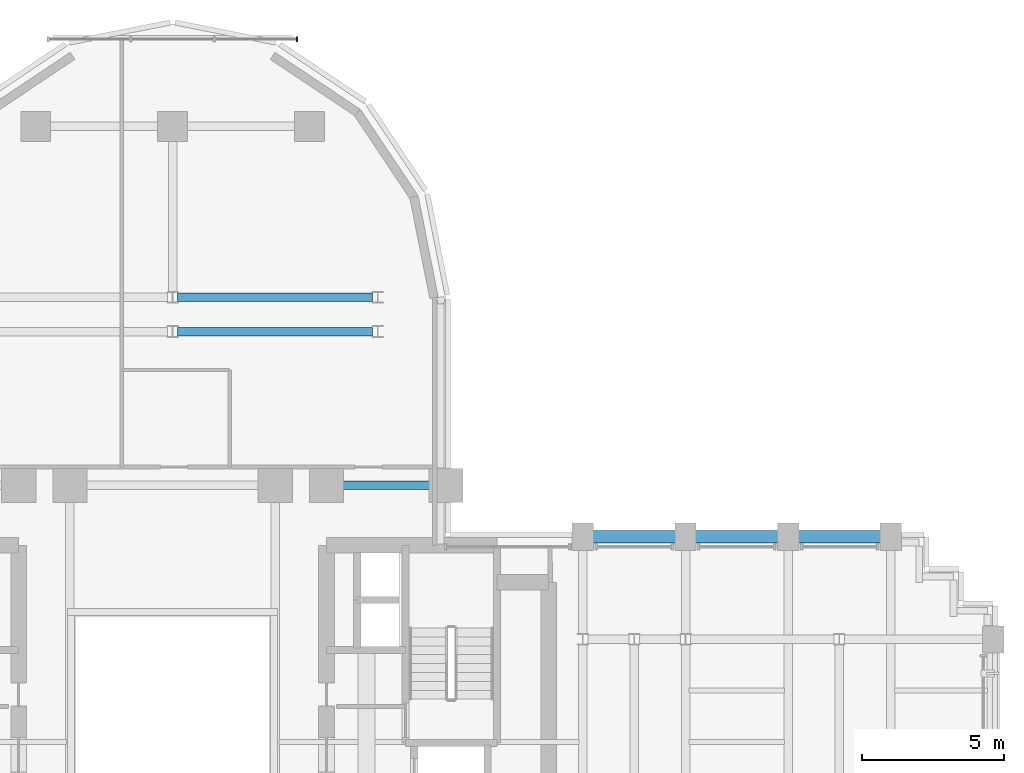
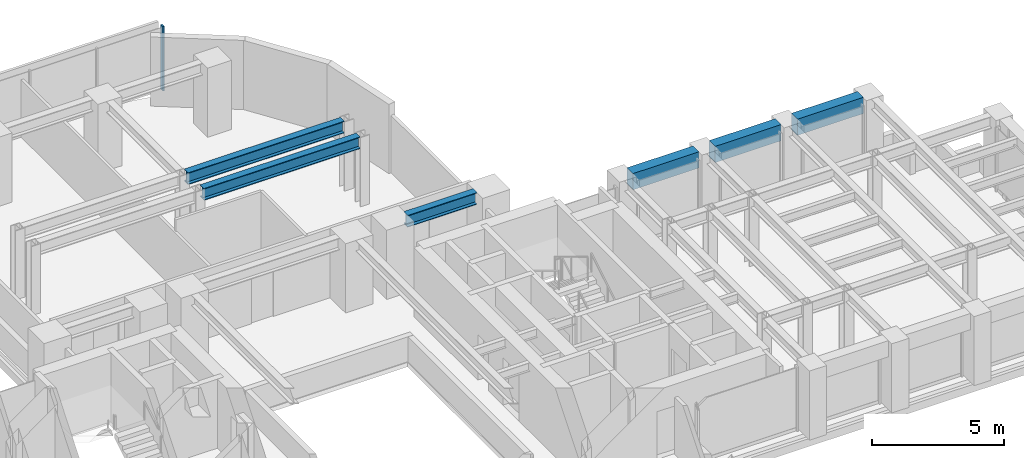
# One storey, part 8 of 16: 6 beams, 1 member, 1 element without a shape of its own.
"""IFC4 building model written with IfcOpenShell, lengths in metres."""

from ifc_helpers import new_model, si_unit, direction, frame, origin, origin_2d, place, context, subcontext, project, spatial, rectangle, i_section, extrude, source, transform, mapped, material, material_profile, profile_set, type_object, element, aggregate, save


model = new_model("IFC4")

# Units and contexts
model_context = context("Model", 3, precision=1e-05, world=origin(), true_north=direction((0.0, 1.0)))
body_context = subcontext(model_context, "Body", "Model", "MODEL_VIEW")
ifc_project = project(units=[si_unit("LENGTHUNIT", "METRE"), si_unit("AREAUNIT", "SQUARE_METRE"), si_unit("VOLUMEUNIT", "CUBIC_METRE"), si_unit("PLANEANGLEUNIT", "RADIAN"), si_unit("MASSUNIT", "GRAM", prefix="KILO")], contexts=[model_context])

# Site, building, storey
site_placement = place(None, origin())
site = spatial("IfcSite", under=ifc_project, at=site_placement, CompositionType="ELEMENT")
building_placement = place(site_placement, origin())
building = spatial("IfcBuilding", under=site, at=building_placement, Name="Keilestroom Media Tower", CompositionType="ELEMENT")
storey_placement = place(building_placement, frame((0.0, 0.0, 37.39990234375)))
storey = spatial("IfcBuildingStorey", under=building, at=storey_placement, Name="L08", CompositionType="ELEMENT", Elevation=37.39990234375)

# Beams
ifc_material_1 = material(Name="Steel S355", Category="steel")
ifc_material_profile_1 = material_profile(ifc_material_1, i_section(OverallWidth=0.300048828125, OverallDepth=0.550048828125, WebThickness=0.012939453125, FlangeThickness=0.029052734375, at=origin_2d()), Name="HEB 550")
ifc_profile_set_1 = profile_set([ifc_material_profile_1], Name="Steel S355")
beam_type_1 = type_object("IfcBeamType", Name="Primary-Structural-Girder-HEB-550", PredefinedType="BEAM", material=ifc_profile_set_1)
shared_shape_1 = source(origin(), body_context, "Body", "SweptSolid", [
    extrude(i_section(OverallWidth=0.300048828125, OverallDepth=0.550048828125, WebThickness=0.012939453125, FlangeThickness=0.029052734375, at=origin_2d()), origin(), (0.0, 0.0, 1.0), 6.836181640625),
])
for number, where, z_axis, x_axis, name in (
    (1, (0.181884765625, 14.39990234375, 2.925048828125), (1.0, 0.0, 0.0), (0.0, 1.0, 0.0), "L08 Beam BG-5 BM-L08-EW-046"),
    (2, (0.181884765625, 15.60009765625, 2.925048828125), (1.0, 0.0, 0.0), (0.0, 1.0, 0.0), "L08 Beam BG-5 BM-L08-EW-048"),
):
    element("IfcBeam", number, at=place(storey_placement, frame(where, z_axis=z_axis, x_axis=x_axis)), inside=storey, type_object=beam_type_1, Name=name, PredefinedType="BEAM", context=body_context, shape_type="MappedRepresentation", body=[
        mapped(shared_shape_1, transform((0.0, 0.0, 0.0), x_axis=(1.0, 0.0, 0.0), y_axis=(0.0, 1.0, 0.0), z_axis=(0.0, 0.0, 1.0), scale=1.0)),
    ])
shared_shape_2 = source(origin(), body_context, "Body", "SweptSolid", [
    extrude(i_section(OverallWidth=0.300048828125, OverallDepth=0.550048828125, WebThickness=0.012939453125, FlangeThickness=0.029052734375, at=origin_2d()), origin(), (0.0, 0.0, 1.0), 3.0400390625),
])
beam_1_placement = place(storey_placement, frame((5.97998046875, 9.0, 2.925048828125), z_axis=(1.0, 0.0, 0.0), x_axis=(0.0, 1.0, 0.0)))
element("IfcBeam", 3, at=beam_1_placement, inside=storey, type_object=beam_type_1, Name="L08 Beam BG-5 BM-L08-EW-044", PredefinedType="BEAM", context=body_context, shape_type="MappedRepresentation", body=[
    mapped(shared_shape_2, transform((0.0, 0.0, 0.0), x_axis=(1.0, 0.0, 0.0), y_axis=(0.0, 1.0, 0.0), z_axis=(0.0, 0.0, 1.0), scale=1.0)),
])
ifc_material_2 = material(Name="Precast concrete C40/50", Category="concrete")
ifc_material_profile_2 = material_profile(ifc_material_2, rectangle(XDim=0.449951171875, YDim=0.75, at=origin_2d()), Name="PC 450x750")
ifc_profile_set_2 = profile_set([ifc_material_profile_2], Name="Precast concrete C40/50")
beam_type_2 = type_object("IfcBeamType", Name="Perimeter-Spandrel-Beam-PC-450x750", PredefinedType="SPANDREL", material=ifc_profile_set_2)
shared_shape_3 = source(origin(), body_context, "Body", "SweptSolid", [
    extrude(rectangle(XDim=0.449951171875, YDim=0.75, at=origin_2d()), origin(), (0.0, 0.0, 1.0), 2.889892578125),
])
beam_2_placement = place(storey_placement, frame((21.955078125, 7.199951171875, 2.8251953125), z_axis=(1.0, 0.0, 0.0), x_axis=(0.0, 1.0, 0.0)))
element("IfcBeam", 4, at=beam_2_placement, inside=storey, type_object=beam_type_2, Name="L08 Beam SPB-1 BM-L08-EW-039", PredefinedType="SPANDREL", context=body_context, shape_type="MappedRepresentation", body=[
    mapped(shared_shape_3, transform((0.0, 0.0, 0.0), x_axis=(1.0, 0.0, 0.0), y_axis=(0.0, 1.0, 0.0), z_axis=(0.0, 0.0, 1.0), scale=1.0)),
])
shared_shape_4 = source(origin(), body_context, "Body", "SweptSolid", [
    extrude(rectangle(XDim=0.449951171875, YDim=0.75, at=origin_2d()), origin(), (0.0, 0.0, 1.0), 2.89013671875),
])
for number, where, z_axis, x_axis, name in (
    (5, (14.7548828125, 7.199951171875, 2.8251953125), (1.0, 0.0, 0.0), (0.0, 1.0, 0.0), "L08 Beam SPB-1 BM-L08-EW-037"),
    (6, (18.35498046875, 7.199951171875, 2.8251953125), (1.0, 0.0, 0.0), (0.0, 1.0, 0.0), "L08 Beam SPB-1 BM-L08-EW-038"),
):
    element("IfcBeam", number, at=place(storey_placement, frame(where, z_axis=z_axis, x_axis=x_axis)), inside=storey, type_object=beam_type_2, Name=name, PredefinedType="SPANDREL", context=body_context, shape_type="MappedRepresentation", body=[
        mapped(shared_shape_4, transform((0.0, 0.0, 0.0), x_axis=(1.0, 0.0, 0.0), y_axis=(0.0, 1.0, 0.0), z_axis=(0.0, 0.0, 1.0), scale=1.0)),
    ])

# Curtain wall, member
ifc_material_3 = material(Name="Anodised Aluminium Alloy", Category="aluminium")
curtain_wall_type = type_object("IfcCurtainWallType", Name="Unitised-Curtain-Wall-CW-6", PredefinedType="NOTDEFINED", material=ifc_material_3)
curtain_wall_placement = place(storey_placement, origin())
curtain_wall = element("IfcCurtainWall", 7, at=curtain_wall_placement, inside=storey, type_object=curtain_wall_type, Name="L08 Curtain Wall CW-6 CW-L08-LN-1", PredefinedType="NOTDEFINED")
ifc_material_profile_3 = material_profile(ifc_material_3, rectangle(XDim=0.06494140625, YDim=0.179931640625, at=origin_2d()), Name="ALU MULLION 65x180")
ifc_profile_set_3 = profile_set([ifc_material_profile_3], Name="Anodised Aluminium Alloy")
member_type = type_object("IfcMemberType", Name="Curtain-Wall-Mullion-CW-6", PredefinedType="MULLION", material=ifc_profile_set_3)
shared_shape_5 = source(origin(), body_context, "Body", "SweptSolid", [
    extrude(rectangle(XDim=0.06494140625, YDim=0.179931640625, at=origin_2d()), origin(), (0.0, 0.0, 1.0), 2.97998046875),
])
member_placement = place(storey_placement, frame((4.367431640625, 24.64990234375, 0.0), z_axis=(0.0, 0.0, 1.0), x_axis=(1.0, 0.0, 0.0)))
member = element("IfcMember", 8, at=member_placement, type_object=member_type, Name="CW-6 Mullion 03", PredefinedType="MULLION", context=body_context, shape_type="MappedRepresentation", body=[
    mapped(shared_shape_5, transform((0.0, 0.0, 0.0), x_axis=(1.0, 0.0, 0.0), y_axis=(0.0, 1.0, 0.0), z_axis=(0.0, 0.0, 1.0), scale=1.0)),
])
aggregate(curtain_wall, [member])

save(model, "model.ifc")
